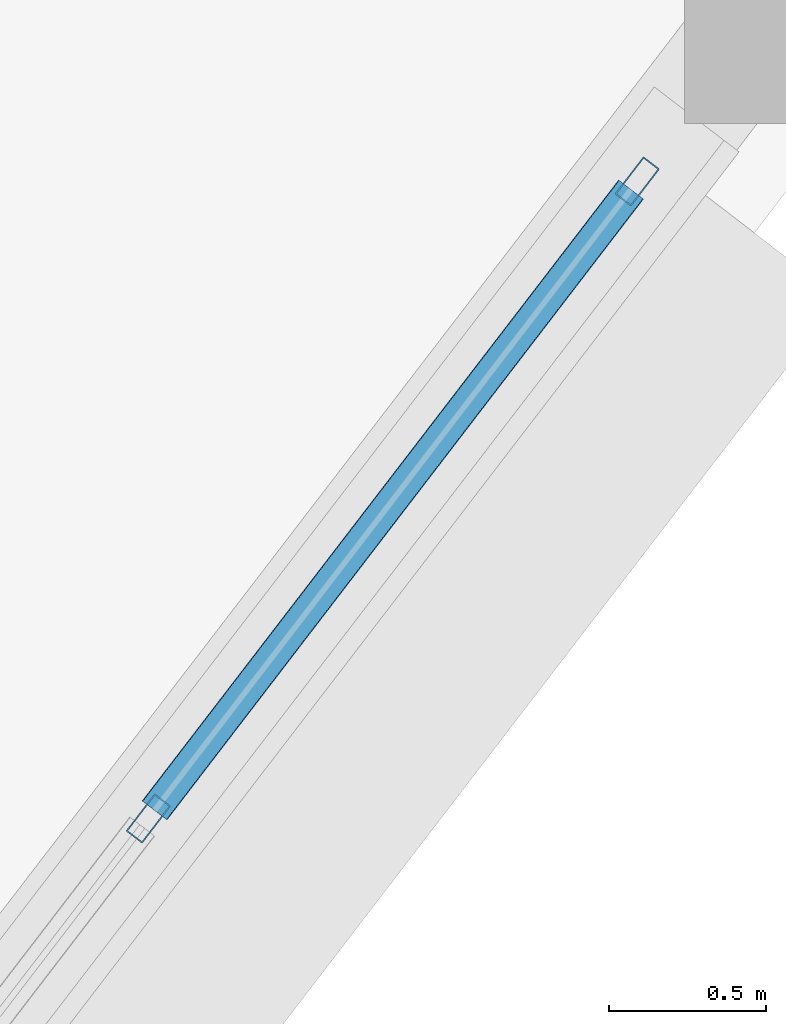
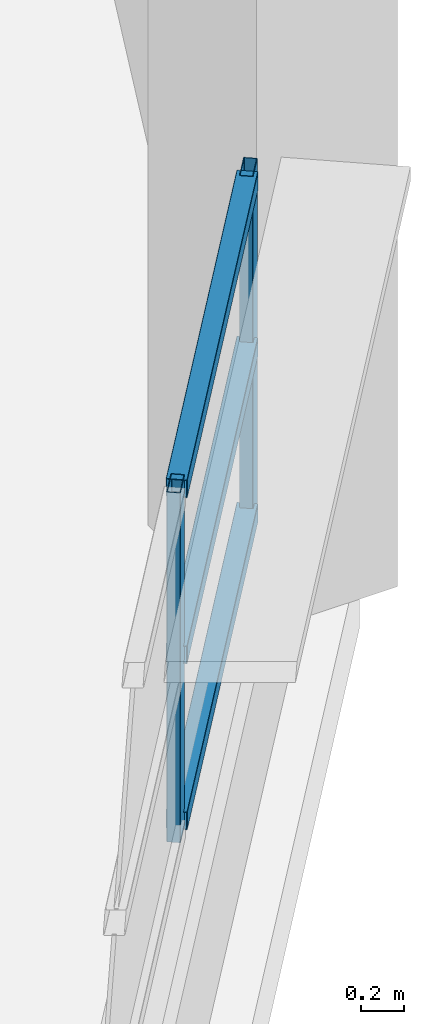
# One storey, part 53 of 108: 5 members, 1 element without a shape of its own.
"""IFC4 building model written with IfcOpenShell, lengths in metres."""

from ifc_helpers import new_model, si_unit, direction, frame, origin, origin_2d, place, context, subcontext, project, spatial, hollow_rectangle, extrude, material, layer, layer_set, material_profile, profile_set, type_object, element, aggregate, save


model = new_model("IFC4")

# Units and contexts
model_context = context("Model", 3, precision=1e-05, world=origin(), true_north=direction((0.0, 1.0)))
body_context = subcontext(model_context, "Body", "Model", "MODEL_VIEW")
ifc_project = project(units=[si_unit("LENGTHUNIT", "METRE"), si_unit("AREAUNIT", "SQUARE_METRE"), si_unit("VOLUMEUNIT", "CUBIC_METRE"), si_unit("PLANEANGLEUNIT", "RADIAN"), si_unit("MASSUNIT", "GRAM", prefix="KILO")], contexts=[model_context])

# Site, building, storey
site_placement = place(None, origin())
site = spatial("IfcSite", under=ifc_project, at=site_placement, CompositionType="ELEMENT")
building_placement = place(site_placement, origin())
building = spatial("IfcBuilding", under=site, at=building_placement, Name="Vespera Passage Community Centre", CompositionType="ELEMENT")
storey_placement = place(building_placement, frame((0.0, 0.0, 12.60009765625)))
storey = spatial("IfcBuildingStorey", under=building, at=storey_placement, Name="L03", CompositionType="ELEMENT", Elevation=12.60009765625)

# Curtain wall, members
ifc_material_1 = material(Name="Anodized aluminium 6063-T6", Category="aluminium")
ifc_layer = layer(ifc_material_1, 0.159912109375)
ifc_layer_set = layer_set([ifc_layer], Name="Anodized aluminium 6063-T6")
curtain_wall_type = type_object("IfcCurtainWallType", Name="CW-52E", PredefinedType="NOTDEFINED", material=ifc_layer_set)
curtain_wall_placement = place(storey_placement, origin())
curtain_wall = element("IfcCurtainWall", 1, at=curtain_wall_placement, inside=storey, type_object=curtain_wall_type, Name="V4 L03 Outer Ribbon Curtain Wall 21", PredefinedType="NOTDEFINED")
ifc_material_2 = material(Name="Anodized aluminium 6063-T6", Category="aluminium")
ifc_material_profile_1 = material_profile(ifc_material_2, hollow_rectangle(XDim=0.06494140625, YDim=0.14990234375, WallThickness=0.00390625, InnerFilletRadius=0.001953125, OuterFilletRadius=0.00390625, at=origin_2d()), Name="ALU150X65X4")
ifc_profile_set_1 = profile_set([ifc_material_profile_1], Name="Anodized aluminium 6063-T6")
member_type_1 = type_object("IfcMemberType", Name="MB-CWM-150E", PredefinedType="MULLION", material=ifc_profile_set_1)
member_1_placement = place(storey_placement, frame((117.398193359375, 41.764892578125, 0.81982421875), z_axis=(0.0, 0.0, 1.0), x_axis=(0.793350257139, -0.608765447029, 0.0)))
member_1 = element("IfcMember", 2, at=member_1_placement, type_object=member_type_1, Name="CW-52E mullion 1", PredefinedType="MULLION", context=body_context, shape_type="SweptSolid", body=[
    extrude(hollow_rectangle(XDim=0.06494140625, YDim=0.14990234375, WallThickness=0.00390625, InnerFilletRadius=0.001953125, OuterFilletRadius=0.00390625, at=origin_2d()), origin(), (0.0, 0.0, 1.0), 1.965576171875),
])
member_2_placement = place(storey_placement, frame((115.83935546875, 39.7333984375, 0.81982421875), z_axis=(0.0, 0.0, 1.0), x_axis=(0.793350257139, -0.608765447029, 0.0)))
member_2 = element("IfcMember", 3, at=member_2_placement, type_object=member_type_1, Name="CW-52E mullion 2", PredefinedType="MULLION", context=body_context, shape_type="SweptSolid", body=[
    extrude(hollow_rectangle(XDim=0.06494140625, YDim=0.14990234375, WallThickness=0.00390625, InnerFilletRadius=0.001953125, OuterFilletRadius=0.00390625, at=origin_2d()), origin(), (0.0, 0.0, 1.0), 1.965576171875),
])
ifc_material_3 = material(Name="Anodized aluminium 6063-T6", Category="aluminium")
ifc_material_profile_2 = material_profile(ifc_material_3, hollow_rectangle(XDim=0.10009765625, YDim=0.10009765625, WallThickness=0.00390625, InnerFilletRadius=0.001953125, OuterFilletRadius=0.00390625, at=origin_2d()), Name="ALU100X100X4")
ifc_profile_set_2 = profile_set([ifc_material_profile_2], Name="Anodized aluminium 6063-T6")
member_type_2 = type_object("IfcMemberType", Name="MB-CWT-100E", PredefinedType="USERDEFINED", material=ifc_profile_set_2)
member_3_placement = place(storey_placement, frame((117.37841796875, 41.739013671875, 0.869873046875), z_axis=(-0.608807330296, -0.793318116885, 0.0), x_axis=(0.793318116885, -0.608807330296, 0.0)))
member_3 = element("IfcMember", 4, at=member_3_placement, type_object=member_type_2, Name="CW-52E transom 1.1", ObjectType="TRANSOM", PredefinedType="USERDEFINED", context=body_context, shape_type="SweptSolid", body=[
    extrude(hollow_rectangle(XDim=0.10009765625, YDim=0.10009765625, WallThickness=0.00390625, InnerFilletRadius=0.001953125, OuterFilletRadius=0.00390625, at=origin_2d()), origin(), (0.0, 0.0, 1.0), 2.49560546875),
])
member_4_placement = place(storey_placement, frame((117.37841796875, 41.739013671875, 1.802734375), z_axis=(-0.608807330296, -0.793318116885, 0.0), x_axis=(0.793318116885, -0.608807330296, 0.0)))
member_4 = element("IfcMember", 5, at=member_4_placement, type_object=member_type_2, Name="CW-52E transom 1.2", ObjectType="TRANSOM", PredefinedType="USERDEFINED", context=body_context, shape_type="SweptSolid", body=[
    extrude(hollow_rectangle(XDim=0.10009765625, YDim=0.10009765625, WallThickness=0.00390625, InnerFilletRadius=0.001953125, OuterFilletRadius=0.00390625, at=origin_2d()), origin(), (0.0, 0.0, 1.0), 2.49560546875),
])
member_5_placement = place(storey_placement, frame((117.37841796875, 41.739013671875, 2.735595703125), z_axis=(-0.608807330296, -0.793318116885, 0.0), x_axis=(0.793318116885, -0.608807330296, 0.0)))
member_5 = element("IfcMember", 6, at=member_5_placement, type_object=member_type_2, Name="CW-52E transom 1.3", ObjectType="TRANSOM", PredefinedType="USERDEFINED", context=body_context, shape_type="SweptSolid", body=[
    extrude(hollow_rectangle(XDim=0.10009765625, YDim=0.10009765625, WallThickness=0.00390625, InnerFilletRadius=0.001953125, OuterFilletRadius=0.00390625, at=origin_2d()), origin(), (0.0, 0.0, 1.0), 2.49560546875),
])
aggregate(curtain_wall, [member_1, member_2, member_3, member_4, member_5])

save(model, "model.ifc")
